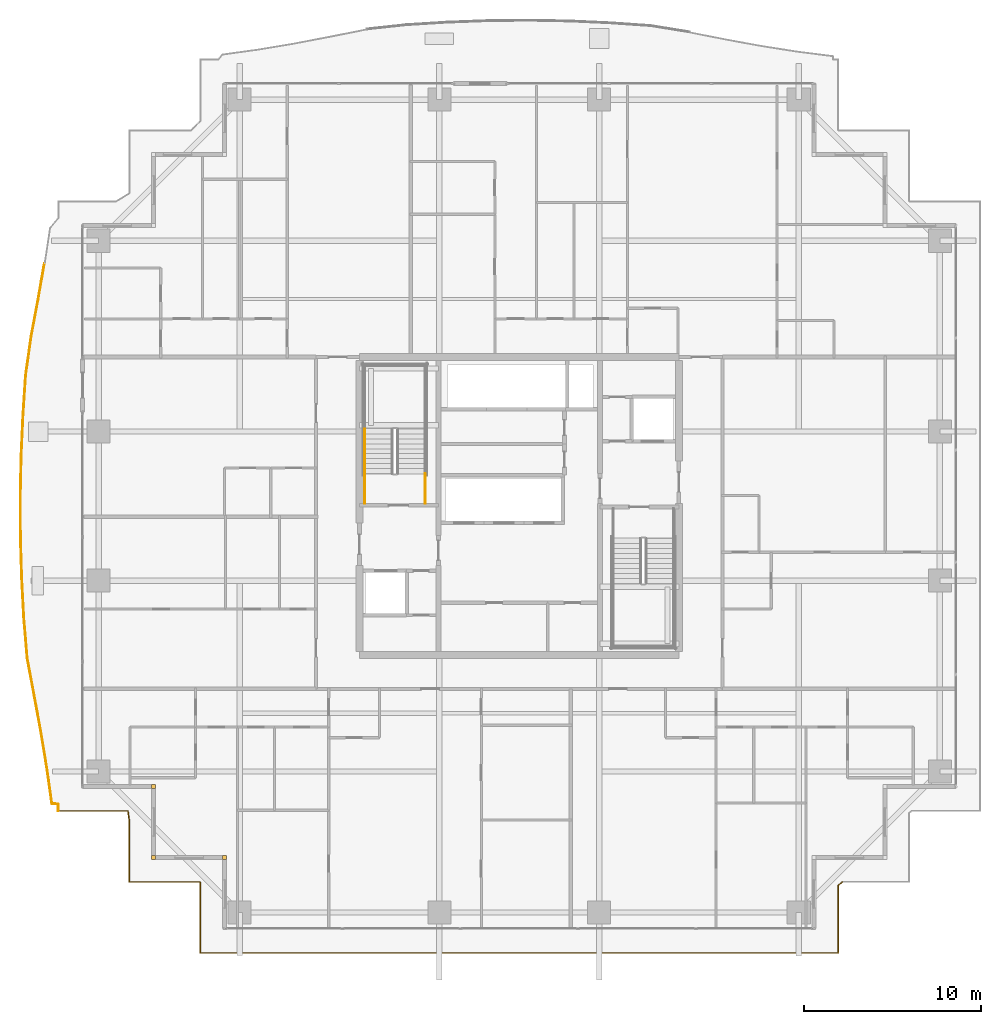
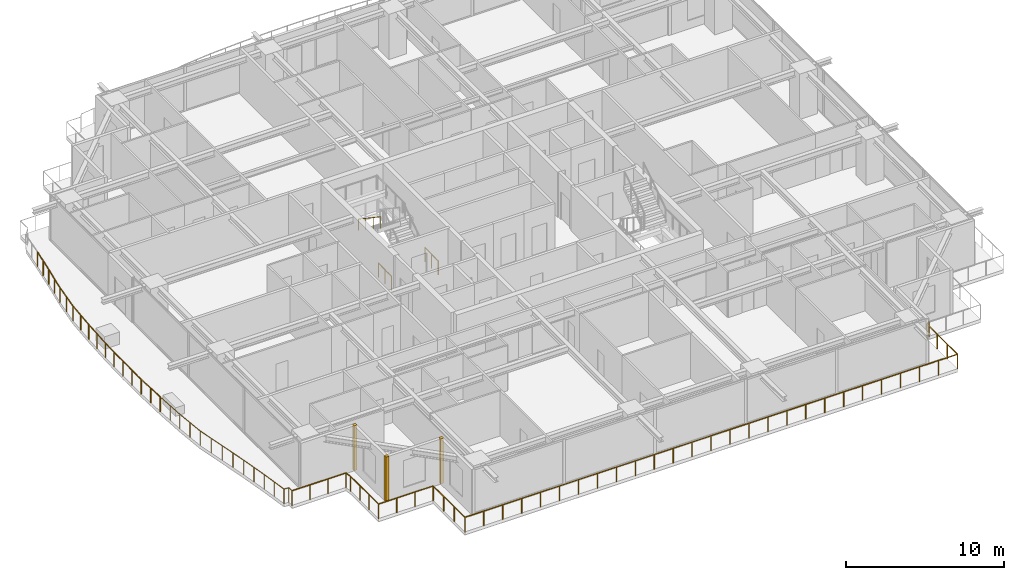
# One storey, part 33 of 37: 6 railings, 3 coverings.
"""IFC4 building model written with IfcOpenShell, lengths in metres."""

from ifc_helpers import new_model, si_unit, direction, frame, origin, origin_2d, place, context, subcontext, project, spatial, rectangle, circle, extrude, source, transform, mapped, material, layer, layer_set, type_object, element, save


model = new_model("IFC4")

# Units and contexts
model_context = context("Model", 3, precision=1e-05, world=origin(), true_north=direction((0.0, 1.0)))
body_context = subcontext(model_context, "Body", "Model", "MODEL_VIEW")
ifc_project = project(units=[si_unit("LENGTHUNIT", "METRE"), si_unit("AREAUNIT", "SQUARE_METRE"), si_unit("VOLUMEUNIT", "CUBIC_METRE"), si_unit("PLANEANGLEUNIT", "RADIAN"), si_unit("MASSUNIT", "GRAM", prefix="KILO")], contexts=[model_context])

# Site, building, storey
site_placement = place(None, origin())
site = spatial("IfcSite", under=ifc_project, at=site_placement, CompositionType="ELEMENT")
building_placement = place(site_placement, origin())
building = spatial("IfcBuilding", under=site, at=building_placement, Name="Serunith Strait Residences", CompositionType="ELEMENT")
storey_placement = place(building_placement, frame((0.0, 0.0, 153.89990234375)))
storey = spatial("IfcBuildingStorey", under=building, at=storey_placement, Name="L38", CompositionType="ELEMENT", Elevation=153.89990234375)

# Railings
ifc_material_1 = material(Name="Stainless Steel & Laminated Glass Balustrade", Category="steel")
railing_type_1 = type_object("IfcRailingType", Name="RLG-BALC-1150", PredefinedType="BALUSTRADE", material=ifc_material_1)
railing_1_placement = place(storey_placement, frame((6.419921875, 8.02001953125, -0.0498046875)))
element("IfcRailing", 1, at=railing_1_placement, inside=storey, type_object=railing_type_1, Name="L38 Swirling Balcony Perimeter Balustrade 1", PredefinedType="BALUSTRADE", context=body_context, shape_type="SweptSolid", body=[
    extrude(circle(Radius=0.02392578125, at=origin_2d()), frame((0.0, 0.001953125, 1.1259765625), z_axis=(0.0, 1.0, 0.0), x_axis=(-1.0, 0.0, 0.0)), (0.0, 0.0, 1.0), 0.389404296875),
    extrude(circle(Radius=0.02392578125, at=origin_2d()), frame((-0.001953125, 0.393310546875, 1.1259765625), z_axis=(-0.998339164702, 0.05761000106, 0.0), x_axis=(-0.05761000106, -0.998339164702, 0.0)), (0.0, 0.0, 1.0), 0.343505859375),
    extrude(circle(Radius=0.02392578125, at=origin_2d()), frame((-0.34716796875, 0.415283203125, 1.1259765625), z_axis=(-0.138716520412, 0.990332129624, 0.0), x_axis=(-0.990332129624, -0.138716520412, 0.0)), (0.0, 0.0, 1.0), 2.018310546875),
    extrude(circle(Radius=0.02392578125, at=origin_2d()), frame((-0.627685546875, 2.41796875, 1.1259765625), z_axis=(-0.16273851846, 0.986669232625, 0.0), x_axis=(-0.986669232625, -0.16273851846, 0.0)), (0.0, 0.0, 1.0), 2.046875),
    extrude(circle(Radius=0.02392578125, at=origin_2d()), frame((-0.96142578125, 4.44140625, 1.1259765625), z_axis=(-0.180136226682, 0.983641672479, 0.0), x_axis=(-0.983641672479, -0.180136226682, 0.0)), (0.0, 0.0, 1.0), 2.09130859375),
    extrude(circle(Radius=0.02392578125, at=origin_2d()), frame((-1.339111328125, 6.50244140625, 1.1259765625), z_axis=(-0.18430906655, 0.982868337056, 0.0), x_axis=(-0.982868337056, -0.18430906655, 0.0)), (0.0, 0.0, 1.0), 2.14990234375),
    extrude(circle(Radius=0.02392578125, at=origin_2d()), frame((-1.73583984375, 8.619384765625, 1.1259765625), z_axis=(-0.084571622734, 0.996417402813, 0.0), x_axis=(-0.996417402813, -0.084571622734, 0.0)), (0.0, 0.0, 1.0), 2.233154296875),
    extrude(circle(Radius=0.02392578125, at=origin_2d()), frame((-1.9248046875, 10.8486328125, 1.1259765625), z_axis=(-0.052840681225, 0.998602955337, 0.0), x_axis=(-0.998602955337, -0.052840681225, 0.0)), (0.0, 0.0, 1.0), 2.269287109375),
    extrude(circle(Radius=0.02099609375, at=origin_2d()), origin(), (0.0, 0.0, 1.0), 1.099853515625),
    extrude(circle(Radius=0.02099609375, at=origin_2d()), frame((0.0, 0.393310546875, 0.0)), (0.0, 0.0, 1.0), 1.099853515625),
    extrude(circle(Radius=0.02099609375, at=origin_2d()), frame((-0.346923828125, 0.413330078125, 0.0)), (0.0, 0.0, 1.0), 1.099853515625),
    extrude(circle(Radius=0.02099609375, at=origin_2d()), frame((-0.4873046875, 1.41455078125, 0.0)), (0.0, 0.0, 1.0), 1.099853515625),
    extrude(circle(Radius=0.02099609375, at=origin_2d()), frame((-0.62744140625, 2.416015625, 0.0)), (0.0, 0.0, 1.0), 1.099853515625),
    extrude(circle(Radius=0.02099609375, at=origin_2d()), frame((-0.79443359375, 3.427734375, 0.0)), (0.0, 0.0, 1.0), 1.099853515625),
    extrude(circle(Radius=0.02099609375, at=origin_2d()), frame((-0.961181640625, 4.439453125, 0.0)), (0.0, 0.0, 1.0), 1.099853515625),
    extrude(circle(Radius=0.02099609375, at=origin_2d()), frame((-1.14990234375, 5.469970703125, 0.0)), (0.0, 0.0, 1.0), 1.099853515625),
    extrude(circle(Radius=0.02099609375, at=origin_2d()), frame((-1.338623046875, 6.50048828125, 0.0)), (0.0, 0.0, 1.0), 1.099853515625),
    extrude(circle(Radius=0.02099609375, at=origin_2d()), frame((-1.537109375, 7.55908203125, 0.0)), (0.0, 0.0, 1.0), 1.099853515625),
    extrude(circle(Radius=0.02099609375, at=origin_2d()), frame((-1.735595703125, 8.617431640625, 0.0)), (0.0, 0.0, 1.0), 1.099853515625),
    extrude(circle(Radius=0.02099609375, at=origin_2d()), frame((-1.830078125, 9.73193359375, 0.0)), (0.0, 0.0, 1.0), 1.099853515625),
    extrude(circle(Radius=0.02099609375, at=origin_2d()), frame((-1.9248046875, 10.8466796875, 0.0)), (0.0, 0.0, 1.0), 1.099853515625),
    extrude(circle(Radius=0.02099609375, at=origin_2d()), frame((-1.98486328125, 11.981689453125, 0.0)), (0.0, 0.0, 1.0), 1.099853515625),
    extrude(circle(Radius=0.02099609375, at=origin_2d()), frame((-2.044921875, 13.11669921875, 0.0)), (0.0, 0.0, 1.0), 1.099853515625),
])
railing_2_placement = place(storey_placement, frame((4.375, 21.13671875, -0.0498046875)))
element("IfcRailing", 2, at=railing_2_placement, inside=storey, type_object=railing_type_1, Name="L38 Swirling Balcony Perimeter Balustrade 2", PredefinedType="BALUSTRADE", context=body_context, shape_type="SweptSolid", body=[
    extrude(circle(Radius=0.02392578125, at=origin_2d()), frame((0.0, 0.001953125, 1.1259765625), z_axis=(-0.029902517018, 0.999552819753, 0.0), x_axis=(-0.999552819753, -0.029902517018, 0.0)), (0.0, 0.0, 1.0), 2.290283203125),
    extrude(circle(Radius=0.02392578125, at=origin_2d()), frame((-0.068603515625, 2.295166015625, 1.1259765625), z_axis=(-0.004557934422, 0.999989612563, 0.0), x_axis=(-0.999989612563, -0.004557934422, 0.0)), (0.0, 0.0, 1.0), 2.29931640625),
    extrude(circle(Radius=0.02392578125, at=origin_2d()), frame((-0.0791015625, 4.598388671875, 1.1259765625), z_axis=(0.021021158346, 0.999779031037, 0.0), x_axis=(-0.999779031037, 0.021021158346, 0.0)), (0.0, 0.0, 1.0), 2.295654296875),
    extrude(circle(Radius=0.02392578125, at=origin_2d()), frame((-0.03076171875, 6.8974609375, 1.1259765625), z_axis=(0.044903292183, 0.998991338477, 0.0), x_axis=(-0.998991338477, 0.044903292183, 0.0)), (0.0, 0.0, 1.0), 2.279541015625),
    extrude(circle(Radius=0.02392578125, at=origin_2d()), frame((0.072021484375, 9.1787109375, 1.1259765625), z_axis=(0.065219615592, 0.997870934411, 0.0), x_axis=(-0.997870934411, 0.065219615592, 0.0)), (0.0, 0.0, 1.0), 2.253173828125),
    extrude(circle(Radius=0.02392578125, at=origin_2d()), frame((0.21923828125, 11.43115234375, 1.1259765625), z_axis=(0.139599098196, 0.99020810529, 0.0), x_axis=(-0.99020810529, 0.139599098196, 0.0)), (0.0, 0.0, 1.0), 2.19091796875),
    extrude(circle(Radius=0.02392578125, at=origin_2d()), frame((0.52587890625, 13.6044921875, 1.1259765625), z_axis=(0.184246870692, 0.982879998087, 0.0), x_axis=(-0.982879998087, 0.184246870692, 0.0)), (0.0, 0.0, 1.0), 2.11865234375),
    extrude(circle(Radius=0.02392578125, at=origin_2d()), frame((0.916748046875, 15.69091796875, 1.1259765625), z_axis=(0.172346017402, 0.985036471551, 0.0), x_axis=(-0.985036471551, 0.172346017402, 0.0)), (0.0, 0.0, 1.0), 2.067138671875),
    extrude(circle(Radius=0.02099609375, at=origin_2d()), origin(), (0.0, 0.0, 1.0), 1.099853515625),
    extrude(circle(Radius=0.02099609375, at=origin_2d()), frame((-0.0341796875, 1.146484375, 0.0)), (0.0, 0.0, 1.0), 1.099853515625),
    extrude(circle(Radius=0.02099609375, at=origin_2d()), frame((-0.068603515625, 2.293212890625, 0.0)), (0.0, 0.0, 1.0), 1.099853515625),
    extrude(circle(Radius=0.02099609375, at=origin_2d()), frame((-0.07373046875, 3.44482421875, 0.0)), (0.0, 0.0, 1.0), 1.099853515625),
    extrude(circle(Radius=0.02099609375, at=origin_2d()), frame((-0.0791015625, 4.596435546875, 0.0)), (0.0, 0.0, 1.0), 1.099853515625),
    extrude(circle(Radius=0.02099609375, at=origin_2d()), frame((-0.054931640625, 5.74609375, 0.0)), (0.0, 0.0, 1.0), 1.099853515625),
    extrude(circle(Radius=0.02099609375, at=origin_2d()), frame((-0.03076171875, 6.8955078125, 0.0)), (0.0, 0.0, 1.0), 1.099853515625),
    extrude(circle(Radius=0.02099609375, at=origin_2d()), frame((0.0205078125, 8.0361328125, 0.0)), (0.0, 0.0, 1.0), 1.099853515625),
    extrude(circle(Radius=0.02099609375, at=origin_2d()), frame((0.07177734375, 9.1767578125, 0.0)), (0.0, 0.0, 1.0), 1.099853515625),
    extrude(circle(Radius=0.02099609375, at=origin_2d()), frame((0.1455078125, 10.302978515625, 0.0)), (0.0, 0.0, 1.0), 1.099853515625),
    extrude(circle(Radius=0.02099609375, at=origin_2d()), frame((0.218994140625, 11.42919921875, 0.0)), (0.0, 0.0, 1.0), 1.099853515625),
    extrude(circle(Radius=0.02099609375, at=origin_2d()), frame((0.3720703125, 12.515869140625, 0.0)), (0.0, 0.0, 1.0), 1.099853515625),
    extrude(circle(Radius=0.02099609375, at=origin_2d()), frame((0.525390625, 13.6025390625, 0.0)), (0.0, 0.0, 1.0), 1.099853515625),
    extrude(circle(Radius=0.02099609375, at=origin_2d()), frame((0.720947265625, 14.645751953125, 0.0)), (0.0, 0.0, 1.0), 1.099853515625),
    extrude(circle(Radius=0.02099609375, at=origin_2d()), frame((0.91650390625, 15.68896484375, 0.0)), (0.0, 0.0, 1.0), 1.099853515625),
    extrude(circle(Radius=0.02099609375, at=origin_2d()), frame((1.094970703125, 16.708984375, 0.0)), (0.0, 0.0, 1.0), 1.099853515625),
    extrude(circle(Radius=0.02099609375, at=origin_2d()), frame((1.2734375, 17.72900390625, 0.0)), (0.0, 0.0, 1.0), 1.099853515625),
])
railing_3_placement = place(storey_placement, frame((50.601806640625, 4.02001953125, -0.0498046875)))
element("IfcRailing", 3, at=railing_3_placement, inside=storey, type_object=railing_type_1, Name="L38 Swirling Balcony Perimeter Balustrade 8", PredefinedType="BALUSTRADE", context=body_context, shape_type="SweptSolid", body=[
    extrude(circle(Radius=0.02392578125, at=origin_2d()), frame((-0.00146484375, -0.001220703125, 1.1259765625), z_axis=(-0.778021630841, -0.62823748849, 0.0), x_axis=(0.62823748849, -0.778021630841, 0.0)), (0.0, 0.0, 1.0), 0.28125),
    extrude(circle(Radius=0.02392578125, at=origin_2d()), frame((-0.221923828125, -0.18115234375, 1.1259765625), z_axis=(0.0, -1.0, 0.0), x_axis=(1.0, 0.0, 0.0)), (0.0, 0.0, 1.0), 3.81689453125),
    extrude(circle(Radius=0.02392578125, at=origin_2d()), frame((-0.223876953125, -4.0, 1.1259765625), z_axis=(-1.0, 0.0, 0.0), x_axis=(0.0, -1.0, 0.0)), (0.0, 0.0, 1.0), 35.9560546875),
    extrude(circle(Radius=0.02392578125, at=origin_2d()), frame((-36.181884765625, -3.998046875, 1.1259765625), z_axis=(0.0, 1.0, 0.0), x_axis=(-1.0, 0.0, 0.0)), (0.0, 0.0, 1.0), 3.99609375),
    extrude(circle(Radius=0.02392578125, at=origin_2d()), frame((-36.183837890625, 0.0, 1.1259765625), z_axis=(-1.0, 0.0, 0.0), x_axis=(0.0, -1.0, 0.0)), (0.0, 0.0, 1.0), 3.99609375),
    extrude(circle(Radius=0.02392578125, at=origin_2d()), frame((-40.181884765625, 0.001953125, 1.1259765625), z_axis=(0.0, 1.0, 0.0), x_axis=(-1.0, 0.0, 0.0)), (0.0, 0.0, 1.0), 3.5205078125),
    extrude(circle(Radius=0.02392578125, at=origin_2d()), frame((-40.18212890625, 3.5263671875, 1.1259765625), z_axis=(-0.146751092123, 0.989173451403, 0.0), x_axis=(-0.989173451403, -0.146751092123, 0.0)), (0.0, 0.0, 1.0), 0.476806640625),
    extrude(circle(Radius=0.02392578125, at=origin_2d()), frame((-40.25439453125, 4.0, 1.1259765625), z_axis=(-1.0, 0.0, 0.0), x_axis=(0.0, -1.0, 0.0)), (0.0, 0.0, 1.0), 3.925537109375),
    extrude(circle(Radius=0.02099609375, at=origin_2d()), origin(), (0.0, 0.0, 1.0), 1.099853515625),
    extrude(circle(Radius=0.02099609375, at=origin_2d()), frame((-0.221923828125, -0.17919921875, 0.0)), (0.0, 0.0, 1.0), 1.099853515625),
    extrude(circle(Radius=0.02099609375, at=origin_2d()), frame((-0.221923828125, -1.452880859375, 0.0)), (0.0, 0.0, 1.0), 1.099853515625),
    extrude(circle(Radius=0.02099609375, at=origin_2d()), frame((-0.221923828125, -2.726318359375, 0.0)), (0.0, 0.0, 1.0), 1.099853515625),
    extrude(circle(Radius=0.02099609375, at=origin_2d()), frame((-0.221923828125, -4.0, 0.0)), (0.0, 0.0, 1.0), 1.099853515625),
    extrude(circle(Radius=0.02099609375, at=origin_2d()), frame((-1.60498046875, -4.0, 0.0)), (0.0, 0.0, 1.0), 1.099853515625),
    extrude(circle(Radius=0.02099609375, at=origin_2d()), frame((-2.988037109375, -4.0, 0.0)), (0.0, 0.0, 1.0), 1.099853515625),
    extrude(circle(Radius=0.02099609375, at=origin_2d()), frame((-4.37109375, -4.0, 0.0)), (0.0, 0.0, 1.0), 1.099853515625),
    extrude(circle(Radius=0.02099609375, at=origin_2d()), frame((-5.754150390625, -4.0, 0.0)), (0.0, 0.0, 1.0), 1.099853515625),
    extrude(circle(Radius=0.02099609375, at=origin_2d()), frame((-7.13720703125, -4.0, 0.0)), (0.0, 0.0, 1.0), 1.099853515625),
    extrude(circle(Radius=0.02099609375, at=origin_2d()), frame((-8.520263671875, -4.0, 0.0)), (0.0, 0.0, 1.0), 1.099853515625),
    extrude(circle(Radius=0.02099609375, at=origin_2d()), frame((-9.903564453125, -4.0, 0.0)), (0.0, 0.0, 1.0), 1.099853515625),
    extrude(circle(Radius=0.02099609375, at=origin_2d()), frame((-11.28662109375, -4.0, 0.0)), (0.0, 0.0, 1.0), 1.099853515625),
    extrude(circle(Radius=0.02099609375, at=origin_2d()), frame((-12.669677734375, -4.0, 0.0)), (0.0, 0.0, 1.0), 1.099853515625),
    extrude(circle(Radius=0.02099609375, at=origin_2d()), frame((-14.052734375, -4.0, 0.0)), (0.0, 0.0, 1.0), 1.099853515625),
    extrude(circle(Radius=0.02099609375, at=origin_2d()), frame((-15.435791015625, -4.0, 0.0)), (0.0, 0.0, 1.0), 1.099853515625),
    extrude(circle(Radius=0.02099609375, at=origin_2d()), frame((-16.81884765625, -4.0, 0.0)), (0.0, 0.0, 1.0), 1.099853515625),
    extrude(circle(Radius=0.02099609375, at=origin_2d()), frame((-18.201904296875, -4.0, 0.0)), (0.0, 0.0, 1.0), 1.099853515625),
    extrude(circle(Radius=0.02099609375, at=origin_2d()), frame((-19.5849609375, -4.0, 0.0)), (0.0, 0.0, 1.0), 1.099853515625),
    extrude(circle(Radius=0.02099609375, at=origin_2d()), frame((-20.968017578125, -4.0, 0.0)), (0.0, 0.0, 1.0), 1.099853515625),
    extrude(circle(Radius=0.02099609375, at=origin_2d()), frame((-22.35107421875, -4.0, 0.0)), (0.0, 0.0, 1.0), 1.099853515625),
    extrude(circle(Radius=0.02099609375, at=origin_2d()), frame((-23.734130859375, -4.0, 0.0)), (0.0, 0.0, 1.0), 1.099853515625),
    extrude(circle(Radius=0.02099609375, at=origin_2d()), frame((-25.1171875, -4.0, 0.0)), (0.0, 0.0, 1.0), 1.099853515625),
    extrude(circle(Radius=0.02099609375, at=origin_2d()), frame((-26.500244140625, -4.0, 0.0)), (0.0, 0.0, 1.0), 1.099853515625),
    extrude(circle(Radius=0.02099609375, at=origin_2d()), frame((-27.883544921875, -4.0, 0.0)), (0.0, 0.0, 1.0), 1.099853515625),
    extrude(circle(Radius=0.02099609375, at=origin_2d()), frame((-29.2666015625, -4.0, 0.0)), (0.0, 0.0, 1.0), 1.099853515625),
    extrude(circle(Radius=0.02099609375, at=origin_2d()), frame((-30.649658203125, -4.0, 0.0)), (0.0, 0.0, 1.0), 1.099853515625),
    extrude(circle(Radius=0.02099609375, at=origin_2d()), frame((-32.03271484375, -4.0, 0.0)), (0.0, 0.0, 1.0), 1.099853515625),
    extrude(circle(Radius=0.02099609375, at=origin_2d()), frame((-33.415771484375, -4.0, 0.0)), (0.0, 0.0, 1.0), 1.099853515625),
    extrude(circle(Radius=0.02099609375, at=origin_2d()), frame((-34.798828125, -4.0, 0.0)), (0.0, 0.0, 1.0), 1.099853515625),
    extrude(circle(Radius=0.02099609375, at=origin_2d()), frame((-36.181884765625, -4.0, 0.0)), (0.0, 0.0, 1.0), 1.099853515625),
    extrude(circle(Radius=0.02099609375, at=origin_2d()), frame((-36.181884765625, -2.666748046875, 0.0)), (0.0, 0.0, 1.0), 1.099853515625),
    extrude(circle(Radius=0.02099609375, at=origin_2d()), frame((-36.181884765625, -1.333251953125, 0.0)), (0.0, 0.0, 1.0), 1.099853515625),
    extrude(circle(Radius=0.02099609375, at=origin_2d()), frame((-36.181884765625, 0.0, 0.0)), (0.0, 0.0, 1.0), 1.099853515625),
    extrude(circle(Radius=0.02099609375, at=origin_2d()), frame((-37.51513671875, 0.0, 0.0)), (0.0, 0.0, 1.0), 1.099853515625),
    extrude(circle(Radius=0.02099609375, at=origin_2d()), frame((-38.8486328125, 0.0, 0.0)), (0.0, 0.0, 1.0), 1.099853515625),
    extrude(circle(Radius=0.02099609375, at=origin_2d()), frame((-40.181884765625, 0.0, 0.0)), (0.0, 0.0, 1.0), 1.099853515625),
    extrude(circle(Radius=0.02099609375, at=origin_2d()), frame((-40.181884765625, 1.1748046875, 0.0)), (0.0, 0.0, 1.0), 1.099853515625),
    extrude(circle(Radius=0.02099609375, at=origin_2d()), frame((-40.181884765625, 2.349609375, 0.0)), (0.0, 0.0, 1.0), 1.099853515625),
    extrude(circle(Radius=0.02099609375, at=origin_2d()), frame((-40.181884765625, 3.5244140625, 0.0)), (0.0, 0.0, 1.0), 1.099853515625),
    extrude(circle(Radius=0.02099609375, at=origin_2d()), frame((-40.25244140625, 4.0, 0.0)), (0.0, 0.0, 1.0), 1.099853515625),
    extrude(circle(Radius=0.02099609375, at=origin_2d()), frame((-41.562255859375, 4.0, 0.0)), (0.0, 0.0, 1.0), 1.099853515625),
    extrude(circle(Radius=0.02099609375, at=origin_2d()), frame((-42.8720703125, 4.0, 0.0)), (0.0, 0.0, 1.0), 1.099853515625),
    extrude(circle(Radius=0.02099609375, at=origin_2d()), frame((-44.181884765625, 4.0, 0.0)), (0.0, 0.0, 1.0), 1.099853515625),
])
ifc_material_2 = material(Name="Brushed stainless steel 316L", Category="steel")
railing_type_2 = type_object("IfcRailingType", Name="RLG-STAIR-GUARD", PredefinedType="BALUSTRADE", material=ifc_material_2)
for number, where, name in (
    (4, (27.10009765625, 25.35009765625, 0.0), "L38 ST-1 stair guard 8"),
    (5, (23.699951171875, 25.35009765625, 0.0), "L38 ST-1 stair guard 9"),
):
    element("IfcRailing", number, at=place(storey_placement, frame(where)), inside=storey, type_object=railing_type_2, Name=name, PredefinedType="BALUSTRADE", context=body_context, shape_type="SweptSolid", body=[
        extrude(circle(Radius=0.02392578125, at=origin_2d()), frame((0.0, 0.001953125, 1.076171875), z_axis=(0.0, 1.0, 0.0), x_axis=(-1.0, 0.0, 0.0)), (0.0, 0.0, 1.0), 1.676025390625),
        extrude(circle(Radius=0.02099609375, at=origin_2d()), origin(), (0.0, 0.0, 1.0), 1.050048828125),
        extrude(circle(Radius=0.02099609375, at=origin_2d()), frame((0.0, 0.83984375, 0.0)), (0.0, 0.0, 1.0), 1.050048828125),
        extrude(circle(Radius=0.02099609375, at=origin_2d()), frame((0.0, 1.679931640625, 0.0)), (0.0, 0.0, 1.0), 1.050048828125),
    ])
railing_type_3 = type_object("IfcRailingType", Name="RLG-STAIR-HR", PredefinedType="HANDRAIL", material=ifc_material_2)
railing_4_placement = place(storey_placement, frame((23.699951171875, 29.550048828125, 2.0625)))
element("IfcRailing", 6, at=railing_4_placement, inside=storey, type_object=railing_type_3, Name="L38 ST-1 stair handrail 2", PredefinedType="HANDRAIL", context=body_context, shape_type="SweptSolid", body=[
    extrude(circle(Radius=0.02392578125, at=origin_2d()), frame((0.0, -0.001708984375, 0.876953125), z_axis=(0.0, -0.830208209119, 0.557453432594), x_axis=(1.0, 0.0, 0.0)), (0.0, 0.0, 1.0), 3.36865234375),
    extrude(circle(Radius=0.02099609375, at=origin_2d()), origin(), (0.0, 0.0, 1.0), 0.849853515625),
    extrude(circle(Radius=0.02099609375, at=origin_2d()), frame((0.0, -0.933349609375, 0.626708984375)), (0.0, 0.0, 1.0), 0.849853515625),
    extrude(circle(Radius=0.02099609375, at=origin_2d()), frame((0.0, -1.86669921875, 1.25341796875)), (0.0, 0.0, 1.0), 0.849853515625),
    extrude(circle(Radius=0.02099609375, at=origin_2d()), frame((0.0, -2.800048828125, 1.880126953125)), (0.0, 0.0, 1.0), 0.849853515625),
])

# Coverings
ifc_material_3 = material(Name="Pale-Champagne Anodised Aluminium", Category="aluminium")
ifc_layer = layer(ifc_material_3, 0.219970703125, Name="Pale-Champagne Anodised Aluminium")
ifc_layer_set = layer_set([ifc_layer], Name="Pale-Champagne Anodised Aluminium")
covering_type = type_object("IfcCoveringType", Name="COV-CORN-TRIM", PredefinedType="CLADDING", material=ifc_layer_set)
shared_shape = source(origin(), body_context, "Body", "SweptSolid", [
    extrude(rectangle(XDim=0.221923828125, YDim=0.221923828125, at=origin_2d()), origin(), (0.0, 0.0, 1.0), 3.47509765625),
])
for number, where, z_axis, x_axis, name in (
    (7, (11.800048828125, 9.39990234375, 0.0), (0.0, 0.0, 1.0), (1.0, 0.0, 0.0), "L38 Girih Serrated Corner Trim Post 17"),
    (8, (11.800048828125, 5.39990234375, 0.0), (0.0, 0.0, 1.0), (1.0, 0.0, 0.0), "L38 Girih Serrated Corner Trim Post 18"),
    (9, (15.800048828125, 5.39990234375, 0.0), (0.0, 0.0, 1.0), (1.0, 0.0, 0.0), "L38 Girih Serrated Corner Trim Post 19"),
):
    element("IfcCovering", number, at=place(storey_placement, frame(where, z_axis=z_axis, x_axis=x_axis)), inside=storey, type_object=covering_type, Name=name, PredefinedType="CLADDING", context=body_context, shape_type="MappedRepresentation", body=[
        mapped(shared_shape, transform((0.0, 0.0, 0.0), scale=1.0)),
    ])

save(model, "model.ifc")
